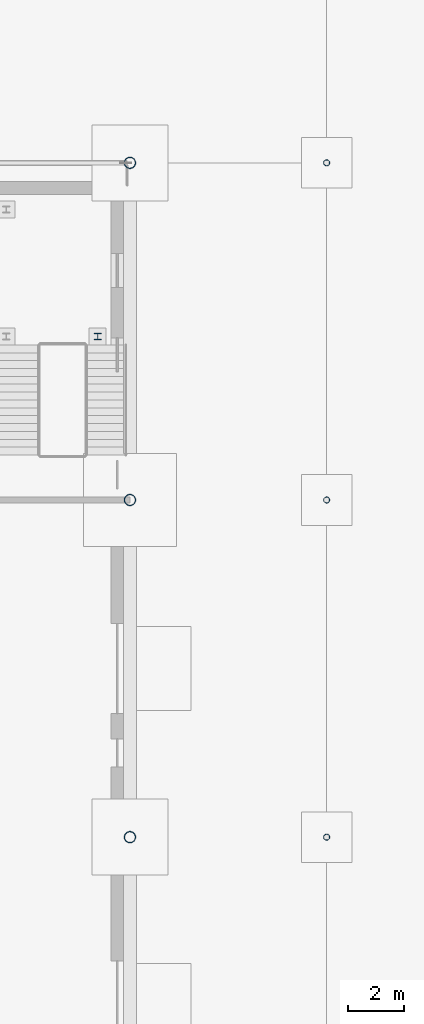
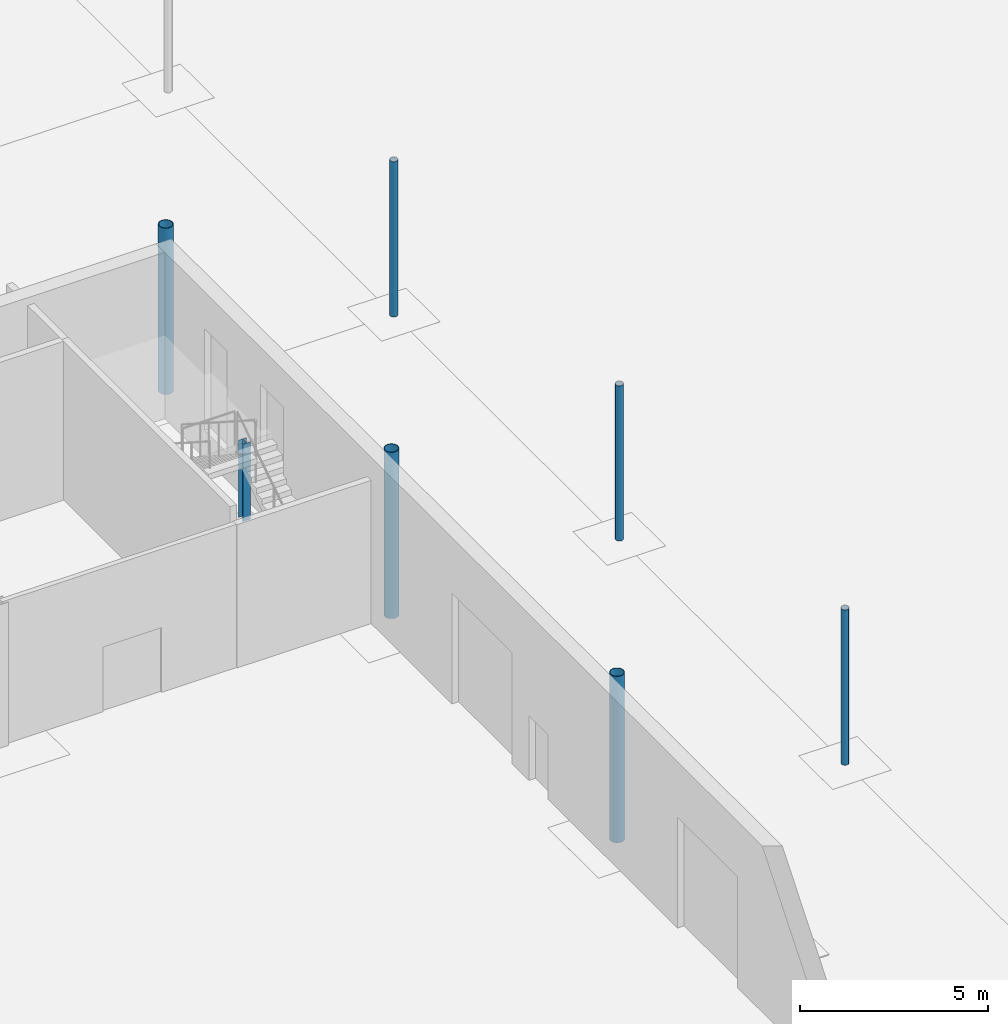
# One storey, part 23 of 132: 7 columns.
"""IFC4 building model written with IfcOpenShell, lengths in metres."""

from ifc_helpers import new_model, si_unit, direction, frame, origin, origin_2d, place, context, subcontext, project, spatial, hollow_circle, i_section, extrude, material, material_profile, profile_set, type_object, element, save


model = new_model("IFC4")

# Units and contexts
model_context = context("Model", 3, precision=1e-05, world=origin(), true_north=direction((0.0, 1.0)))
body_context = subcontext(model_context, "Body", "Model", "MODEL_VIEW")
ifc_project = project(units=[si_unit("LENGTHUNIT", "METRE"), si_unit("AREAUNIT", "SQUARE_METRE"), si_unit("VOLUMEUNIT", "CUBIC_METRE"), si_unit("PLANEANGLEUNIT", "RADIAN"), si_unit("MASSUNIT", "GRAM", prefix="KILO")], contexts=[model_context])

# Site, building, storey
site_placement = place(None, origin())
site = spatial("IfcSite", under=ifc_project, at=site_placement, CompositionType="ELEMENT")
building_placement = place(site_placement, origin())
building = spatial("IfcBuilding", under=site, at=building_placement, Name="Ravi Spectrum Wholesale Market", CompositionType="ELEMENT")
storey_placement = place(building_placement, origin())
storey = spatial("IfcBuildingStorey", under=building, at=storey_placement, Name="L00", CompositionType="ELEMENT", Elevation=0.0)

# Columns
ifc_material_1 = material(Name="Steel S355", Category="steel")
ifc_material_profile_1 = material_profile(ifc_material_1, hollow_circle(Radius=0.109619140625, WallThickness=0.008056640625, at=origin_2d()))
ifc_profile_set_1 = profile_set([ifc_material_profile_1], Name="Steel S355")
column_type_1 = type_object("IfcColumnType", Name="CHS 219.1x8 column", PredefinedType="COLUMN", material=ifc_profile_set_1)
for number, where, z_axis, x_axis, name in (
    (1, (205.0, 102.0, 0.0), (0.0, 0.0, 1.0), (1.0, 0.0, 0.0), "H2-COL-L00-019"),
    (2, (205.0, 114.0, 0.0), (0.0, 0.0, 1.0), (1.0, 0.0, 0.0), "H2-COL-L00-020"),
    (3, (205.0, 126.0, 0.0), (0.0, 0.0, 1.0), (1.0, 0.0, 0.0), "H2-COL-L00-021"),
):
    element("IfcColumn", number, at=place(storey_placement, frame(where, z_axis=z_axis, x_axis=x_axis)), inside=storey, type_object=column_type_1, Name=name, PredefinedType="COLUMN", context=body_context, shape_type="SweptSolid", body=[
        extrude(hollow_circle(Radius=0.109619140625, WallThickness=0.008056640625, at=origin_2d()), origin(), (0.0, 0.0, 1.0), 5.0400390625),
    ])
ifc_material_2 = material(Name="Steel S355", Category="steel")
ifc_material_profile_2 = material_profile(ifc_material_2, hollow_circle(Radius=0.203125, WallThickness=0.01611328125, at=origin_2d()))
ifc_profile_set_2 = profile_set([ifc_material_profile_2], Name="Steel S355")
column_type_2 = type_object("IfcColumnType", Name="CHS 406.4x16 column", PredefinedType="COLUMN", material=ifc_profile_set_2)
for number, where, z_axis, x_axis, name in (
    (4, (198.0, 102.0, 0.0), (0.0, 0.0, 1.0), (1.0, 0.0, 0.0), "H2-COL-L00-008"),
    (5, (198.0, 114.0, 0.0), (0.0, 0.0, 1.0), (1.0, 0.0, 0.0), "H2-COL-L00-009"),
    (6, (198.0, 126.0, 0.0), (0.0, 0.0, 1.0), (1.0, 0.0, 0.0), "H2-COL-L00-010"),
):
    element("IfcColumn", number, at=place(storey_placement, frame(where, z_axis=z_axis, x_axis=x_axis)), inside=storey, type_object=column_type_2, Name=name, PredefinedType="COLUMN", context=body_context, shape_type="SweptSolid", body=[
        extrude(hollow_circle(Radius=0.203125, WallThickness=0.01611328125, at=origin_2d()), origin(), (0.0, 0.0, 1.0), 5.39990234375),
    ])
ifc_material_3 = material(Name="Steel S355", Category="steel")
ifc_material_profile_3 = material_profile(ifc_material_3, i_section(OverallWidth=0.239990234375, OverallDepth=0.239990234375, WebThickness=0.010009765625, FlangeThickness=0.01708984375, at=origin_2d()))
ifc_profile_set_3 = profile_set([ifc_material_profile_3], Name="Steel S355")
column_type_3 = type_object("IfcColumnType", Name="HEB 240 column", PredefinedType="COLUMN", material=ifc_profile_set_3)
column_placement = place(storey_placement, frame((196.85009765625, 119.820068359375, 0.0), z_axis=(0.0, 0.0, 1.0), x_axis=(1.0, 0.0, 0.0)))
element("IfcColumn", 7, at=column_placement, inside=storey, type_object=column_type_3, Name="H2-COL-L00-024", PredefinedType="COLUMN", context=body_context, shape_type="SweptSolid", body=[
    extrude(i_section(OverallWidth=0.239990234375, OverallDepth=0.239990234375, WebThickness=0.010009765625, FlangeThickness=0.01708984375, at=origin_2d()), origin(), (0.0, 0.0, 1.0), 2.5),
])

save(model, "model.ifc")
